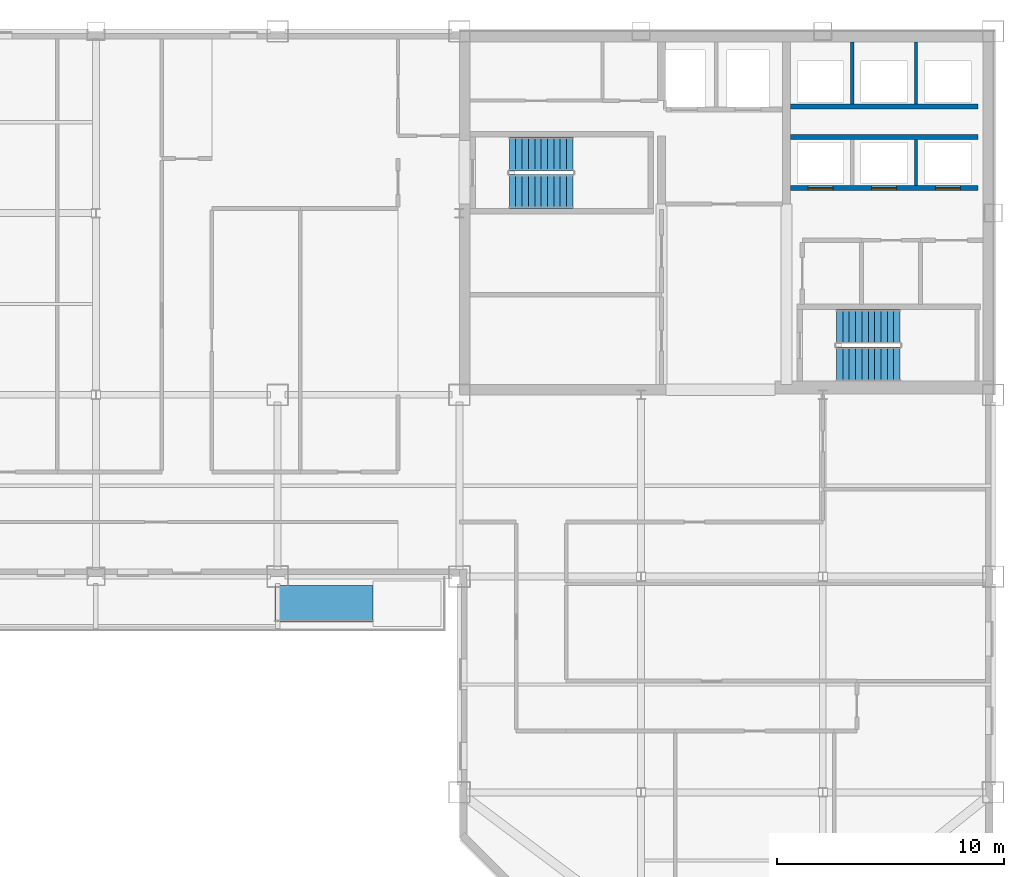
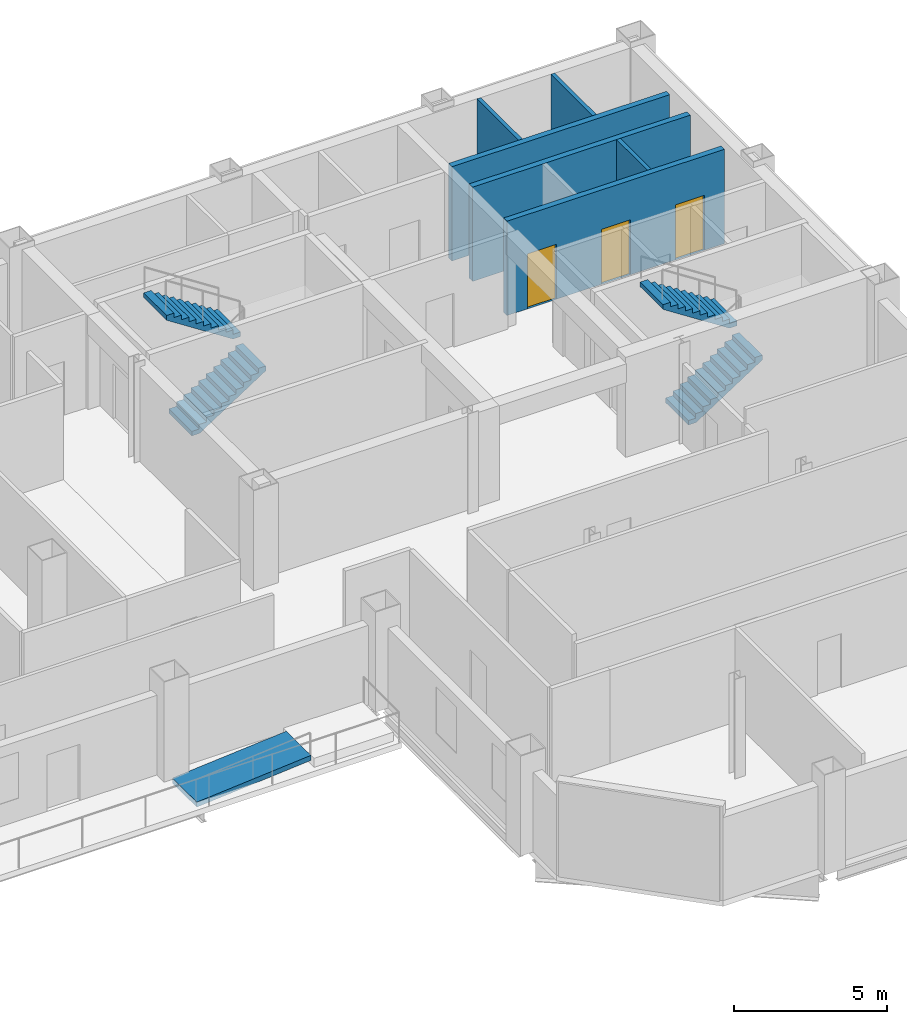
# One storey, part 7 of 11: 6 walls, 4 stair flights, 3 doors, 1 ramp flight, 3 openings, 3 elements without a shape of their own.
"""IFC4 building model written with IfcOpenShell, lengths in metres."""

from ifc_helpers import new_model, si_unit, direction, frame, frame_2d, origin, place, context, subcontext, project, spatial, polyline, rectangle, outline, extrude, material, layer, layer_set, type_object, element, fill, aggregate, save


model = new_model("IFC4")

# Units and contexts
model_context = context("Model", 3, precision=1e-05, world=origin(), true_north=direction((0.0, 1.0)))
body_context = subcontext(model_context, "Body", "Model", "MODEL_VIEW")
ifc_project = project(units=[si_unit("LENGTHUNIT", "METRE"), si_unit("AREAUNIT", "SQUARE_METRE"), si_unit("VOLUMEUNIT", "CUBIC_METRE"), si_unit("PLANEANGLEUNIT", "RADIAN"), si_unit("MASSUNIT", "GRAM", prefix="KILO")], contexts=[model_context])

# Site, building, storey
site_placement = place(None, origin())
site = spatial("IfcSite", under=ifc_project, at=site_placement, CompositionType="ELEMENT")
building_placement = place(site_placement, origin())
building = spatial("IfcBuilding", under=site, at=building_placement, Name="Qianrong Seaharbour Tower", CompositionType="ELEMENT")
storey_placement = place(building_placement, frame((0.0, 0.0, 273.800048828125)))
storey = spatial("IfcBuildingStorey", under=building, at=storey_placement, Name="L66", CompositionType="ELEMENT", Elevation=273.800048828125)

# Walls
ifc_material_1 = material(Name="Fire-rated gypsum board on steel studs", Category="steel")
ifc_layer_1 = layer(ifc_material_1, 0.14990234375)
ifc_layer_set_1 = layer_set([ifc_layer_1], Name="Fire-rated gypsum board on steel studs")
wall_type_1 = type_object("IfcWallType", Name="WALL-SHAFT-DIV-150", PredefinedType="PARTITIONING", material=ifc_layer_set_1)
wall_1_placement = place(storey_placement, frame((60.60009765625, 45.2099609375, 0.0), z_axis=(0.0, 0.0, 1.0), x_axis=(0.0, 1.0, 0.0)))
element("IfcWall", 1, at=wall_1_placement, inside=storey, type_object=wall_type_1, Name="L66 P3 Lift Hoistway Divider 3", PredefinedType="PARTITIONING", context=body_context, shape_type="SweptSolid", body=[
    extrude(rectangle(XDim=2.030029296875, YDim=0.14990234375, at=frame_2d((1.01513671875, 0.0))), origin(), (0.0, 0.0, 1.0), 3.77490234375),
])
for number, where, z_axis, x_axis, name in (
    (2, (57.800048828125, 48.81005859375, 0.0), (0.0, 0.0, 1.0), (0.0, 1.0, 0.0), "L66 P4 Lift Hoistway Divider 2"),
    (3, (60.60009765625, 48.81005859375, 0.0), (0.0, 0.0, 1.0), (0.0, 1.0, 0.0), "L66 P4 Lift Hoistway Divider 3"),
):
    element("IfcWall", number, at=place(storey_placement, frame(where, z_axis=z_axis, x_axis=x_axis)), inside=storey, type_object=wall_type_1, Name=name, PredefinedType="PARTITIONING", context=body_context, shape_type="SweptSolid", body=[
        extrude(rectangle(XDim=2.72998046875, YDim=0.14990234375, at=frame_2d((1.364990234375, 0.0))), origin(), (0.0, 0.0, 1.0), 3.77490234375),
    ])

# Wall, openings, doors
ifc_layer_2 = layer(ifc_material_1, 0.219970703125)
ifc_layer_set_2 = layer_set([ifc_layer_2], Name="Fire-rated gypsum board on steel studs")
wall_type_2 = type_object("IfcWallType", Name="WALL-SHAFT-GYP220", PredefinedType="PARTITIONING", material=ifc_layer_set_2)
wall_2_placement = place(storey_placement, frame((63.320068359375, 45.10009765625, 0.0), z_axis=(0.0, 0.0, 1.0), x_axis=(-1.0, 0.0, 0.0)))
wall_2 = element("IfcWall", 4, at=wall_2_placement, inside=storey, type_object=wall_type_2, Name="L66 P3 Lift Hoistway Front Wall", PredefinedType="PARTITIONING", context=body_context, shape_type="SweptSolid", body=[
    extrude(rectangle(XDim=8.239990234375, YDim=0.219970703125, at=frame_2d((4.1201171875, 0.0))), origin(), (0.0, 0.0, 1.0), 3.77490234375),
])
opening_1_placement = place(wall_2_placement, frame((6.3701171875, 0.0, 0.0)))
opening_1 = element("IfcOpeningElement", 5, at=opening_1_placement, cuts=wall_2, Name="Opening LD-02", PredefinedType="OPENING", context=body_context, shape_type="SweptSolid", body=[
    extrude(rectangle(XDim=1.10009765625, YDim=2.199951171875, at=frame_2d((0.550048828125, 1.10009765625))), frame((0.0, 0.1201171875, 0.0), z_axis=(0.0, -1.0, 0.0), x_axis=(1.0, 0.0, 0.0)), (0.0, 0.0, 1.0), 0.239990234375),
])
opening_2_placement = place(wall_2_placement, frame((3.570068359375, 0.0, 0.0)))
opening_2 = element("IfcOpeningElement", 6, at=opening_2_placement, cuts=wall_2, Name="Opening LD-02", PredefinedType="OPENING", context=body_context, shape_type="SweptSolid", body=[
    extrude(rectangle(XDim=1.10009765625, YDim=2.199951171875, at=frame_2d((0.550048828125, 1.10009765625))), frame((0.0, 0.1201171875, 0.0), z_axis=(0.0, -1.0, 0.0), x_axis=(1.0, 0.0, 0.0)), (0.0, 0.0, 1.0), 0.239990234375),
])
opening_3_placement = place(wall_2_placement, frame((0.77001953125, 0.0, 0.0)))
opening_3 = element("IfcOpeningElement", 7, at=opening_3_placement, cuts=wall_2, Name="Opening LD-02", PredefinedType="OPENING", context=body_context, shape_type="SweptSolid", body=[
    extrude(rectangle(XDim=1.10009765625, YDim=2.199951171875, at=frame_2d((0.550048828125, 1.10009765625))), frame((0.0, 0.1201171875, 0.0), z_axis=(0.0, -1.0, 0.0), x_axis=(1.0, 0.0, 0.0)), (0.0, 0.0, 1.0), 0.239990234375),
])
ifc_material_2 = material(Name="Stainless steel SUS316L bi-parting lift landing door", Category="steel")
door_type = type_object("IfcDoorType", Name="DOOR-LIFT-PASS-1100x2200", OperationType="DOUBLE_DOOR_SLIDING", PredefinedType="DOOR", material=ifc_material_2)
door_1_placement = place(opening_1_placement, origin())
door_1 = element("IfcDoor", 8, at=door_1_placement, inside=storey, type_object=door_type, Name="L66 PL-3A Lift Landing Door", OperationType="DOUBLE_DOOR_SLIDING", OverallHeight=2.199951171875, OverallWidth=1.10009765625, PredefinedType="DOOR", context=body_context, shape_type="SweptSolid", body=[
    extrude(rectangle(XDim=1.10009765625, YDim=2.199951171875, at=frame_2d((0.550048828125, 1.10009765625))), frame((0.0, 0.02490234375, 0.0), z_axis=(0.0, -1.0, 0.0), x_axis=(1.0, 0.0, 0.0)), (0.0, 0.0, 1.0), 0.050048828125),
])
fill(opening_1, door_1)
door_2_placement = place(opening_2_placement, origin())
door_2 = element("IfcDoor", 9, at=door_2_placement, inside=storey, type_object=door_type, Name="L66 PL-3B Lift Landing Door", OperationType="DOUBLE_DOOR_SLIDING", OverallHeight=2.199951171875, OverallWidth=1.10009765625, PredefinedType="DOOR", context=body_context, shape_type="SweptSolid", body=[
    extrude(rectangle(XDim=1.10009765625, YDim=2.199951171875, at=frame_2d((0.550048828125, 1.10009765625))), frame((0.0, 0.02490234375, 0.0), z_axis=(0.0, -1.0, 0.0), x_axis=(1.0, 0.0, 0.0)), (0.0, 0.0, 1.0), 0.050048828125),
])
fill(opening_2, door_2)
door_3_placement = place(opening_3_placement, origin())
door_3 = element("IfcDoor", 10, at=door_3_placement, inside=storey, type_object=door_type, Name="L66 PL-3C Lift Landing Door", OperationType="DOUBLE_DOOR_SLIDING", OverallHeight=2.199951171875, OverallWidth=1.10009765625, PredefinedType="DOOR", context=body_context, shape_type="SweptSolid", body=[
    extrude(rectangle(XDim=1.10009765625, YDim=2.199951171875, at=frame_2d((0.550048828125, 1.10009765625))), frame((0.0, 0.02490234375, 0.0), z_axis=(0.0, -1.0, 0.0), x_axis=(1.0, 0.0, 0.0)), (0.0, 0.0, 1.0), 0.050048828125),
])
fill(opening_3, door_3)

# Walls
for number, where, z_axis, x_axis, name in (
    (11, (55.080078125, 47.35009765625, 0.0), (0.0, 0.0, 1.0), (1.0, 0.0, 0.0), "L66 P3 Lift Hoistway Back Wall"),
    (12, (63.320068359375, 48.699951171875, 0.0), (0.0, 0.0, 1.0), (-1.0, 0.0, 0.0), "L66 P4 Lift Hoistway Front Wall"),
):
    element("IfcWall", number, at=place(storey_placement, frame(where, z_axis=z_axis, x_axis=x_axis)), inside=storey, type_object=wall_type_2, Name=name, PredefinedType="PARTITIONING", context=body_context, shape_type="SweptSolid", body=[
        extrude(rectangle(XDim=8.239990234375, YDim=0.219970703125, at=frame_2d((4.1201171875, 0.0))), origin(), (0.0, 0.0, 1.0), 3.77490234375),
    ])

# Stair, stair flights
ifc_material_3 = material(Name="Concrete C50/60", Category="concrete")
stair_type = type_object("IfcStairType", Name="STAIR-DOGLEG-1500-R22", PredefinedType="HALF_TURN_STAIR", material=ifc_material_3)
stair_1_placement = place(storey_placement, origin())
stair_1 = element("IfcStair", 13, at=stair_1_placement, inside=storey, type_object=stair_type, Name="L66 Protected Escape Stair ST-1", PredefinedType="HALF_TURN_STAIR")
stair_flight_type = type_object("IfcStairFlightType", Name="FLIGHT-STR-1500-R22", PredefinedType="STRAIGHT", material=ifc_material_3)
stair_flight_1_placement = place(storey_placement, frame((42.699951171875, 44.949951171875, 0.0), z_axis=(0.0, 0.0, 1.0), x_axis=(1.0, 0.0, 0.0)))
stair_flight_1 = element("IfcStairFlight", 14, at=stair_flight_1_placement, type_object=stair_flight_type, Name="ST-1 flight 1", NumberOfRisers=11, NumberOfTreads=10, PredefinedType="STRAIGHT", RiserHeight=0.181818182, TreadLength=0.28, context=body_context, shape_type="SweptSolid", body=[
    extrude(outline(polyline([(0.0, 0.0), (0.0, 0.181884765625), (0.280029296875, 0.181884765625), (0.280029296875, 0.363525390625), (0.56005859375, 0.363525390625), (0.56005859375, 0.54541015625), (0.840087890625, 0.54541015625), (0.840087890625, 0.727294921875), (1.1201171875, 0.727294921875), (1.1201171875, 0.9091796875), (1.39990234375, 0.9091796875), (1.39990234375, 1.0908203125), (1.679931640625, 1.0908203125), (1.679931640625, 1.272705078125), (1.9599609375, 1.272705078125), (1.9599609375, 1.45458984375), (2.239990234375, 1.45458984375), (2.239990234375, 1.636474609375), (2.52001953125, 1.636474609375), (2.52001953125, 1.818115234375), (2.800048828125, 1.818115234375), (2.800048828125, 2.0), (2.800048828125, 1.62744140625), (0.293701171875, 0.0), (0.0, 0.0)])), frame((0.0, 0.75, 0.0), z_axis=(0.0, -1.0, 0.0), x_axis=(1.0, 0.0, 0.0)), (0.0, 0.0, 1.0), 1.5),
])
stair_flight_2_placement = place(storey_placement, frame((45.5, 46.60009765625, 2.0), z_axis=(0.0, 0.0, 1.0), x_axis=(-1.0, 0.0, 0.0)))
stair_flight_2 = element("IfcStairFlight", 15, at=stair_flight_2_placement, type_object=stair_flight_type, Name="ST-1 flight 2", NumberOfRisers=11, NumberOfTreads=10, PredefinedType="STRAIGHT", RiserHeight=0.181818182, TreadLength=0.28, context=body_context, shape_type="SweptSolid", body=[
    extrude(outline(polyline([(0.0, 0.0), (0.0, 0.181884765625), (0.280029296875, 0.181884765625), (0.280029296875, 0.363525390625), (0.56005859375, 0.363525390625), (0.56005859375, 0.54541015625), (0.840087890625, 0.54541015625), (0.840087890625, 0.727294921875), (1.1201171875, 0.727294921875), (1.1201171875, 0.9091796875), (1.39990234375, 0.9091796875), (1.39990234375, 1.0908203125), (1.679931640625, 1.0908203125), (1.679931640625, 1.272705078125), (1.9599609375, 1.272705078125), (1.9599609375, 1.45458984375), (2.239990234375, 1.45458984375), (2.239990234375, 1.636474609375), (2.52001953125, 1.636474609375), (2.52001953125, 1.818115234375), (2.800048828125, 1.818115234375), (2.800048828125, 2.0), (2.800048828125, 1.62744140625), (0.293701171875, 0.0), (0.0, 0.0)])), frame((0.0, 0.75, 0.0), z_axis=(0.0, -1.0, 0.0), x_axis=(1.0, 0.0, 0.0)), (0.0, 0.0, 1.0), 1.5),
])
aggregate(stair_1, [stair_flight_1, stair_flight_2])

stair_2_placement = place(storey_placement, origin())
stair_2 = element("IfcStair", 16, at=stair_2_placement, inside=storey, type_object=stair_type, Name="L66 Protected Escape Stair ST-2", PredefinedType="HALF_TURN_STAIR")
stair_flight_3_placement = place(storey_placement, frame((57.10009765625, 37.35009765625, 0.0), z_axis=(0.0, 0.0, 1.0), x_axis=(1.0, 0.0, 0.0)))
stair_flight_3 = element("IfcStairFlight", 17, at=stair_flight_3_placement, type_object=stair_flight_type, Name="ST-2 flight 1", NumberOfRisers=11, NumberOfTreads=10, PredefinedType="STRAIGHT", RiserHeight=0.181818182, TreadLength=0.28, context=body_context, shape_type="SweptSolid", body=[
    extrude(outline(polyline([(0.0, 0.0), (0.0, 0.181884765625), (0.280029296875, 0.181884765625), (0.280029296875, 0.363525390625), (0.56005859375, 0.363525390625), (0.56005859375, 0.54541015625), (0.840087890625, 0.54541015625), (0.840087890625, 0.727294921875), (1.1201171875, 0.727294921875), (1.1201171875, 0.9091796875), (1.39990234375, 0.9091796875), (1.39990234375, 1.0908203125), (1.679931640625, 1.0908203125), (1.679931640625, 1.272705078125), (1.9599609375, 1.272705078125), (1.9599609375, 1.45458984375), (2.239990234375, 1.45458984375), (2.239990234375, 1.636474609375), (2.52001953125, 1.636474609375), (2.52001953125, 1.818115234375), (2.800048828125, 1.818115234375), (2.800048828125, 2.0), (2.800048828125, 1.62744140625), (0.293701171875, 0.0), (0.0, 0.0)])), frame((0.0, 0.75, 0.0), z_axis=(0.0, -1.0, 0.0), x_axis=(1.0, 0.0, 0.0)), (0.0, 0.0, 1.0), 1.5),
])
stair_flight_4_placement = place(storey_placement, frame((59.89990234375, 39.0, 2.0), z_axis=(0.0, 0.0, 1.0), x_axis=(-1.0, 0.0, 0.0)))
stair_flight_4 = element("IfcStairFlight", 18, at=stair_flight_4_placement, type_object=stair_flight_type, Name="ST-2 flight 2", NumberOfRisers=11, NumberOfTreads=10, PredefinedType="STRAIGHT", RiserHeight=0.181818182, TreadLength=0.28, context=body_context, shape_type="SweptSolid", body=[
    extrude(outline(polyline([(0.0, 0.0), (0.0, 0.181884765625), (0.280029296875, 0.181884765625), (0.280029296875, 0.363525390625), (0.56005859375, 0.363525390625), (0.56005859375, 0.54541015625), (0.840087890625, 0.54541015625), (0.840087890625, 0.727294921875), (1.1201171875, 0.727294921875), (1.1201171875, 0.9091796875), (1.39990234375, 0.9091796875), (1.39990234375, 1.0908203125), (1.679931640625, 1.0908203125), (1.679931640625, 1.272705078125), (1.9599609375, 1.272705078125), (1.9599609375, 1.45458984375), (2.239990234375, 1.45458984375), (2.239990234375, 1.636474609375), (2.52001953125, 1.636474609375), (2.52001953125, 1.818115234375), (2.800048828125, 1.818115234375), (2.800048828125, 2.0), (2.800048828125, 1.62744140625), (0.293701171875, 0.0), (0.0, 0.0)])), frame((0.0, 0.75, 0.0), z_axis=(0.0, -1.0, 0.0), x_axis=(1.0, 0.0, 0.0)), (0.0, 0.0, 1.0), 1.5),
])
aggregate(stair_2, [stair_flight_3, stair_flight_4])

# Ramp, ramp flight
ifc_material_4 = material(Name="White architectural precast concrete C45/55", Category="concrete")
ramp_type = type_object("IfcRampType", Name="RAMP-RIBBON-GARDEN", PredefinedType="STRAIGHT_RUN_RAMP", material=ifc_material_4)
ramp_placement = place(storey_placement, origin())
ramp = element("IfcRamp", 19, at=ramp_placement, inside=storey, type_object=ramp_type, Name="L66 Harbourfront Garden Ribbon Ramp", PredefinedType="STRAIGHT_RUN_RAMP")
ifc_layer_3 = layer(ifc_material_4, 0.199951171875)
ifc_layer_set_3 = layer_set([ifc_layer_3], Name="White architectural precast concrete C45/55")
ramp_flight_type = type_object("IfcRampFlightType", Name="RAMP-FLIGHT-GARDEN-200", PredefinedType="STRAIGHT", material=ifc_layer_set_3)
ramp_flight_placement = place(storey_placement, frame((32.3798828125, 26.800048828125, 0.0), z_axis=(0.0, 0.0, 1.0), x_axis=(1.0, 0.0, 0.0)))
ramp_flight = element("IfcRampFlight", 20, at=ramp_flight_placement, type_object=ramp_flight_type, Name="L66 Harbourfront Garden Ribbon Ramp Flight", PredefinedType="STRAIGHT", context=body_context, shape_type="SweptSolid", body=[
    extrude(outline(polyline([(0.0, 0.0), (4.320068359375, 0.360107421875), (4.320068359375, 0.16015625), (0.0, -0.199951171875), (0.0, 0.0)])), frame((0.0, 0.800048828125, 0.0), z_axis=(0.0, -1.0, 0.0), x_axis=(1.0, 0.0, 0.0)), (0.0, 0.0, 1.0), 1.60009765625),
])
aggregate(ramp, [ramp_flight])

save(model, "model.ifc")
